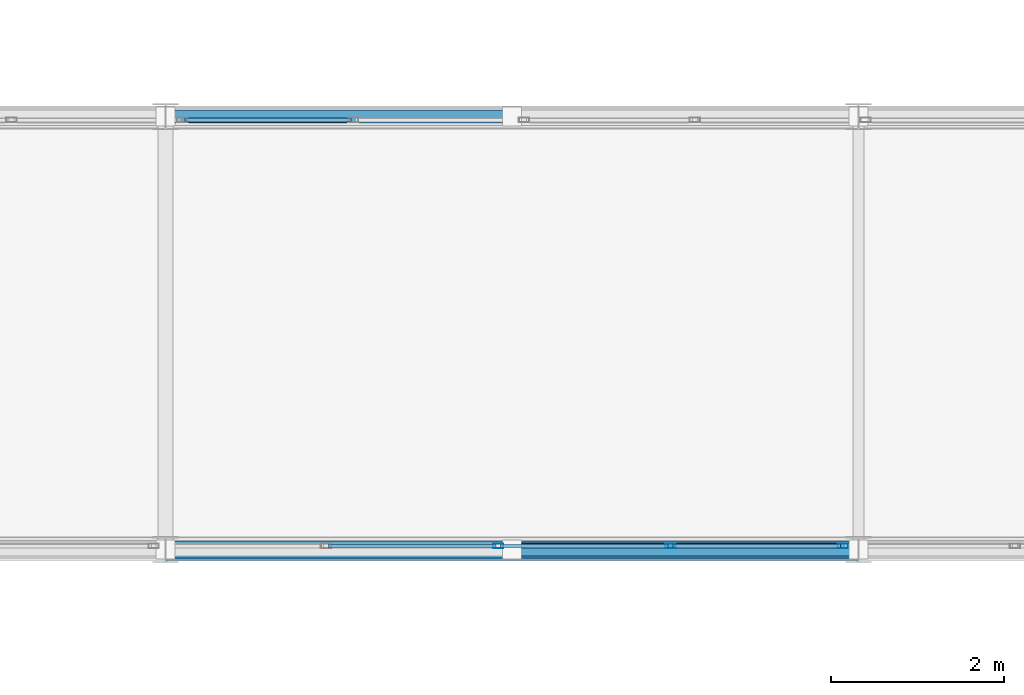
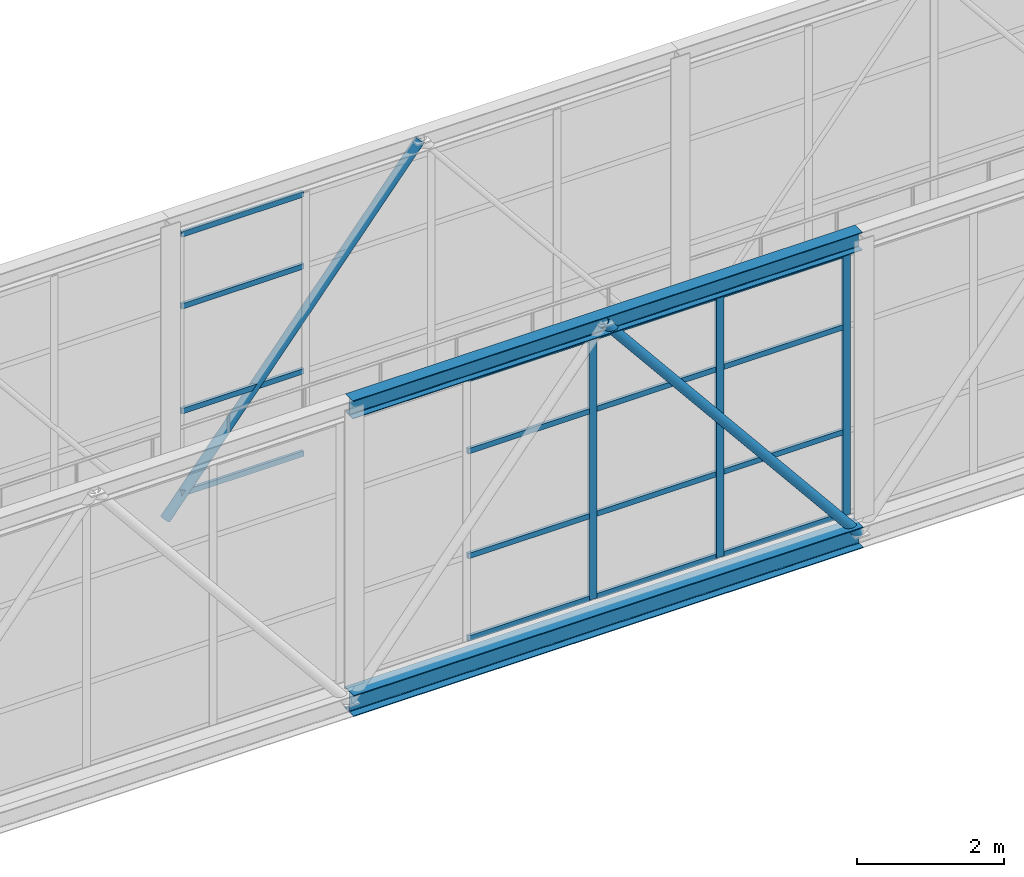
# One storey, part 155 of 248: 23 members, 2 elements without a shape of their own.
"""IFC4 building model written with IfcOpenShell, lengths in metres."""

from ifc_helpers import new_model, si_unit, direction, frame, origin, origin_2d, place, context, subcontext, project, spatial, hollow_rectangle, hollow_circle, i_section, extrude, material, layer, layer_set, material_profile, profile_set, type_object, element, aggregate, save


model = new_model("IFC4")

# Units and contexts
model_context = context("Model", 3, precision=1e-05, world=origin(), true_north=direction((0.0, 1.0)))
body_context = subcontext(model_context, "Body", "Model", "MODEL_VIEW")
ifc_project = project(units=[si_unit("LENGTHUNIT", "METRE"), si_unit("AREAUNIT", "SQUARE_METRE"), si_unit("VOLUMEUNIT", "CUBIC_METRE"), si_unit("PLANEANGLEUNIT", "RADIAN"), si_unit("MASSUNIT", "GRAM", prefix="KILO")], contexts=[model_context])

# Site, building, storey
site_placement = place(None, origin())
site = spatial("IfcSite", under=ifc_project, at=site_placement, CompositionType="ELEMENT")
building_placement = place(site_placement, origin())
building = spatial("IfcBuilding", under=site, at=building_placement, Name="Canggui Botanical Conservatory", CompositionType="ELEMENT")
storey_placement = place(building_placement, frame((0.0, 0.0, 5.39990234375)))
storey = spatial("IfcBuildingStorey", under=building, at=storey_placement, Name="L02", CompositionType="ELEMENT", Elevation=5.39990234375)

# Curtain wall, members
ifc_material_1 = material(Name="Thermally Broken Aluminium", Category="aluminium")
ifc_layer = layer(ifc_material_1, 0.1201171875, Name="Thermally Broken Aluminium", Category="aluminium")
ifc_layer_set = layer_set([ifc_layer], Name="Thermally Broken Aluminium")
curtain_wall_type = type_object("IfcCurtainWallType", Name="CW-STICK-B", PredefinedType="USERDEFINED", material=ifc_layer_set)
curtain_wall_1_placement = place(storey_placement, origin())
curtain_wall_1 = element("IfcCurtainWall", 1, at=curtain_wall_1_placement, inside=storey, type_object=curtain_wall_type, Name="Facade Curtain Wall CW-SB-04-1", ObjectType="STICK GLAZED WALL", PredefinedType="USERDEFINED")
ifc_material_profile_1 = material_profile(ifc_material_1, hollow_rectangle(XDim=0.054931640625, YDim=0.1201171875, WallThickness=0.0029296875, at=origin_2d()), Name="CWM 55x120x3")
ifc_profile_set_1 = profile_set([ifc_material_profile_1], Name="Thermally Broken Aluminium")
member_type_1 = type_object("IfcMemberType", Name="CWM-05", PredefinedType="MULLION", material=ifc_profile_set_1)
member_1_placement = place(storey_placement, frame((93.341552734375, 75.0400390625, 0.0), z_axis=(0.0, 0.0, 1.0), x_axis=(0.0, 1.0, 0.0)))
member_1 = element("IfcMember", 2, at=member_1_placement, type_object=member_type_1, Name="CW-05 mullion 14", PredefinedType="MULLION", context=body_context, shape_type="SweptSolid", body=[
    extrude(hollow_rectangle(XDim=0.054931640625, YDim=0.1201171875, WallThickness=0.0029296875, at=origin_2d()), origin(), (0.0, 0.0, 1.0), 4.35009765625),
])
member_2_placement = place(storey_placement, frame((95.3310546875, 75.0400390625, 0.0), z_axis=(0.0, 0.0, 1.0), x_axis=(0.0, 1.0, 0.0)))
member_2 = element("IfcMember", 3, at=member_2_placement, type_object=member_type_1, Name="CW-05 mullion 15", PredefinedType="MULLION", context=body_context, shape_type="SweptSolid", body=[
    extrude(hollow_rectangle(XDim=0.054931640625, YDim=0.1201171875, WallThickness=0.0029296875, at=origin_2d()), origin(), (0.0, 0.0, 1.0), 4.35009765625),
])
member_3_placement = place(storey_placement, frame((97.3203125, 75.0400390625, 0.0), z_axis=(0.0, 0.0, 1.0), x_axis=(0.0, 1.0, 0.0)))
member_3 = element("IfcMember", 4, at=member_3_placement, type_object=member_type_1, Name="CW-05 mullion 16", PredefinedType="MULLION", context=body_context, shape_type="SweptSolid", body=[
    extrude(hollow_rectangle(XDim=0.054931640625, YDim=0.1201171875, WallThickness=0.0029296875, at=origin_2d()), origin(), (0.0, 0.0, 1.0), 4.35009765625),
])
ifc_material_profile_2 = material_profile(ifc_material_1, hollow_rectangle(XDim=0.044921875, YDim=0.090087890625, WallThickness=0.0029296875, at=origin_2d()), Name="CWT 45x90x3")
ifc_profile_set_2 = profile_set([ifc_material_profile_2], Name="Thermally Broken Aluminium")
member_type_2 = type_object("IfcMemberType", Name="CWT-05", PredefinedType="USERDEFINED", material=ifc_profile_set_2)
member_4_placement = place(storey_placement, frame((91.379638671875, 75.0400390625, 0.022705078125), z_axis=(1.0, 0.0, 0.0), x_axis=(0.0, 1.0, 0.0)))
member_4 = element("IfcMember", 5, at=member_4_placement, type_object=member_type_2, Name="CW-05 transom 13.1", ObjectType="TRANSOM", PredefinedType="USERDEFINED", context=body_context, shape_type="SweptSolid", body=[
    extrude(hollow_rectangle(XDim=0.044921875, YDim=0.090087890625, WallThickness=0.0029296875, at=origin_2d()), origin(), (0.0, 0.0, 1.0), 1.9345703125),
])
member_5_placement = place(storey_placement, frame((91.379638671875, 75.0400390625, 1.39208984375), z_axis=(1.0, 0.0, 0.0), x_axis=(0.0, 1.0, 0.0)))
member_5 = element("IfcMember", 6, at=member_5_placement, type_object=member_type_2, Name="CW-05 transom 13.2", ObjectType="TRANSOM", PredefinedType="USERDEFINED", context=body_context, shape_type="SweptSolid", body=[
    extrude(hollow_rectangle(XDim=0.044921875, YDim=0.090087890625, WallThickness=0.0029296875, at=origin_2d()), origin(), (0.0, 0.0, 1.0), 1.9345703125),
])
member_6_placement = place(storey_placement, frame((91.379638671875, 75.0400390625, 3.132080078125), z_axis=(1.0, 0.0, 0.0), x_axis=(0.0, 1.0, 0.0)))
member_6 = element("IfcMember", 7, at=member_6_placement, type_object=member_type_2, Name="CW-05 transom 13.3", ObjectType="TRANSOM", PredefinedType="USERDEFINED", context=body_context, shape_type="SweptSolid", body=[
    extrude(hollow_rectangle(XDim=0.044921875, YDim=0.090087890625, WallThickness=0.0029296875, at=origin_2d()), origin(), (0.0, 0.0, 1.0), 1.9345703125),
])
member_7_placement = place(storey_placement, frame((91.379638671875, 75.0400390625, 4.32763671875), z_axis=(1.0, 0.0, 0.0), x_axis=(0.0, 1.0, 0.0)))
member_7 = element("IfcMember", 8, at=member_7_placement, type_object=member_type_2, Name="CW-05 transom 13.4", ObjectType="TRANSOM", PredefinedType="USERDEFINED", context=body_context, shape_type="SweptSolid", body=[
    extrude(hollow_rectangle(XDim=0.044921875, YDim=0.090087890625, WallThickness=0.0029296875, at=origin_2d()), origin(), (0.0, 0.0, 1.0), 1.9345703125),
])
member_8_placement = place(storey_placement, frame((93.369140625, 75.0400390625, 0.022705078125), z_axis=(1.0, 0.0, 0.0), x_axis=(0.0, 1.0, 0.0)))
member_8 = element("IfcMember", 9, at=member_8_placement, type_object=member_type_2, Name="CW-05 transom 14.1", ObjectType="TRANSOM", PredefinedType="USERDEFINED", context=body_context, shape_type="SweptSolid", body=[
    extrude(hollow_rectangle(XDim=0.044921875, YDim=0.090087890625, WallThickness=0.0029296875, at=origin_2d()), origin(), (0.0, 0.0, 1.0), 1.934326171875),
])
member_9_placement = place(storey_placement, frame((93.369140625, 75.0400390625, 1.39208984375), z_axis=(1.0, 0.0, 0.0), x_axis=(0.0, 1.0, 0.0)))
member_9 = element("IfcMember", 10, at=member_9_placement, type_object=member_type_2, Name="CW-05 transom 14.2", ObjectType="TRANSOM", PredefinedType="USERDEFINED", context=body_context, shape_type="SweptSolid", body=[
    extrude(hollow_rectangle(XDim=0.044921875, YDim=0.090087890625, WallThickness=0.0029296875, at=origin_2d()), origin(), (0.0, 0.0, 1.0), 1.934326171875),
])
member_10_placement = place(storey_placement, frame((93.369140625, 75.0400390625, 3.132080078125), z_axis=(1.0, 0.0, 0.0), x_axis=(0.0, 1.0, 0.0)))
member_10 = element("IfcMember", 11, at=member_10_placement, type_object=member_type_2, Name="CW-05 transom 14.3", ObjectType="TRANSOM", PredefinedType="USERDEFINED", context=body_context, shape_type="SweptSolid", body=[
    extrude(hollow_rectangle(XDim=0.044921875, YDim=0.090087890625, WallThickness=0.0029296875, at=origin_2d()), origin(), (0.0, 0.0, 1.0), 1.934326171875),
])
member_11_placement = place(storey_placement, frame((93.369140625, 75.0400390625, 4.32763671875), z_axis=(1.0, 0.0, 0.0), x_axis=(0.0, 1.0, 0.0)))
member_11 = element("IfcMember", 12, at=member_11_placement, type_object=member_type_2, Name="CW-05 transom 14.4", ObjectType="TRANSOM", PredefinedType="USERDEFINED", context=body_context, shape_type="SweptSolid", body=[
    extrude(hollow_rectangle(XDim=0.044921875, YDim=0.090087890625, WallThickness=0.0029296875, at=origin_2d()), origin(), (0.0, 0.0, 1.0), 1.934326171875),
])
member_12_placement = place(storey_placement, frame((95.3583984375, 75.0400390625, 0.022705078125), z_axis=(1.0, 0.0, 0.0), x_axis=(0.0, 1.0, 0.0)))
member_12 = element("IfcMember", 13, at=member_12_placement, type_object=member_type_2, Name="CW-05 transom 15.1", ObjectType="TRANSOM", PredefinedType="USERDEFINED", context=body_context, shape_type="SweptSolid", body=[
    extrude(hollow_rectangle(XDim=0.044921875, YDim=0.090087890625, WallThickness=0.0029296875, at=origin_2d()), origin(), (0.0, 0.0, 1.0), 1.934326171875),
])
member_13_placement = place(storey_placement, frame((95.3583984375, 75.0400390625, 1.39208984375), z_axis=(1.0, 0.0, 0.0), x_axis=(0.0, 1.0, 0.0)))
member_13 = element("IfcMember", 14, at=member_13_placement, type_object=member_type_2, Name="CW-05 transom 15.2", ObjectType="TRANSOM", PredefinedType="USERDEFINED", context=body_context, shape_type="SweptSolid", body=[
    extrude(hollow_rectangle(XDim=0.044921875, YDim=0.090087890625, WallThickness=0.0029296875, at=origin_2d()), origin(), (0.0, 0.0, 1.0), 1.934326171875),
])
member_14_placement = place(storey_placement, frame((95.3583984375, 75.0400390625, 3.132080078125), z_axis=(1.0, 0.0, 0.0), x_axis=(0.0, 1.0, 0.0)))
member_14 = element("IfcMember", 15, at=member_14_placement, type_object=member_type_2, Name="CW-05 transom 15.3", ObjectType="TRANSOM", PredefinedType="USERDEFINED", context=body_context, shape_type="SweptSolid", body=[
    extrude(hollow_rectangle(XDim=0.044921875, YDim=0.090087890625, WallThickness=0.0029296875, at=origin_2d()), origin(), (0.0, 0.0, 1.0), 1.934326171875),
])
member_15_placement = place(storey_placement, frame((95.3583984375, 75.0400390625, 4.32763671875), z_axis=(1.0, 0.0, 0.0), x_axis=(0.0, 1.0, 0.0)))
member_15 = element("IfcMember", 16, at=member_15_placement, type_object=member_type_2, Name="CW-05 transom 15.4", ObjectType="TRANSOM", PredefinedType="USERDEFINED", context=body_context, shape_type="SweptSolid", body=[
    extrude(hollow_rectangle(XDim=0.044921875, YDim=0.090087890625, WallThickness=0.0029296875, at=origin_2d()), origin(), (0.0, 0.0, 1.0), 1.934326171875),
])
aggregate(curtain_wall_1, [member_1, member_2, member_3, member_4, member_5, member_6, member_7, member_8, member_9, member_10, member_11, member_12, member_13, member_14, member_15])

curtain_wall_2_placement = place(storey_placement, origin())
curtain_wall_2 = element("IfcCurtainWall", 17, at=curtain_wall_2_placement, inside=storey, type_object=curtain_wall_type, Name="Facade Curtain Wall CW-SB-04-2", ObjectType="STICK GLAZED WALL", PredefinedType="USERDEFINED")
member_16_placement = place(storey_placement, frame((89.72119140625, 79.9599609375, 0.022705078125), z_axis=(1.0, 0.0, 0.0), x_axis=(0.0, 1.0, 0.0)))
member_16 = element("IfcMember", 18, at=member_16_placement, type_object=member_type_2, Name="CW-05 transom 13.1", ObjectType="TRANSOM", PredefinedType="USERDEFINED", context=body_context, shape_type="SweptSolid", body=[
    extrude(hollow_rectangle(XDim=0.044921875, YDim=0.090087890625, WallThickness=0.0029296875, at=origin_2d()), origin(), (0.0, 0.0, 1.0), 1.91796875),
])
member_17_placement = place(storey_placement, frame((89.72119140625, 79.9599609375, 1.39208984375), z_axis=(1.0, 0.0, 0.0), x_axis=(0.0, 1.0, 0.0)))
member_17 = element("IfcMember", 19, at=member_17_placement, type_object=member_type_2, Name="CW-05 transom 13.2", ObjectType="TRANSOM", PredefinedType="USERDEFINED", context=body_context, shape_type="SweptSolid", body=[
    extrude(hollow_rectangle(XDim=0.044921875, YDim=0.090087890625, WallThickness=0.0029296875, at=origin_2d()), origin(), (0.0, 0.0, 1.0), 1.91796875),
])
member_18_placement = place(storey_placement, frame((89.72119140625, 79.9599609375, 3.132080078125), z_axis=(1.0, 0.0, 0.0), x_axis=(0.0, 1.0, 0.0)))
member_18 = element("IfcMember", 20, at=member_18_placement, type_object=member_type_2, Name="CW-05 transom 13.3", ObjectType="TRANSOM", PredefinedType="USERDEFINED", context=body_context, shape_type="SweptSolid", body=[
    extrude(hollow_rectangle(XDim=0.044921875, YDim=0.090087890625, WallThickness=0.0029296875, at=origin_2d()), origin(), (0.0, 0.0, 1.0), 1.91796875),
])
member_19_placement = place(storey_placement, frame((89.72119140625, 79.9599609375, 4.32763671875), z_axis=(1.0, 0.0, 0.0), x_axis=(0.0, 1.0, 0.0)))
member_19 = element("IfcMember", 21, at=member_19_placement, type_object=member_type_2, Name="CW-05 transom 13.4", ObjectType="TRANSOM", PredefinedType="USERDEFINED", context=body_context, shape_type="SweptSolid", body=[
    extrude(hollow_rectangle(XDim=0.044921875, YDim=0.090087890625, WallThickness=0.0029296875, at=origin_2d()), origin(), (0.0, 0.0, 1.0), 1.91796875),
])
aggregate(curtain_wall_2, [member_16, member_17, member_18, member_19])

# Members
ifc_material_2 = material(Name="Steel Q355C", Category="steel")
ifc_material_profile_3 = material_profile(ifc_material_2, hollow_circle(Radius=0.075927734375, WallThickness=0.006103515625, at=origin_2d()), Name="CHS 152x6")
ifc_profile_set_3 = profile_set([ifc_material_profile_3], Name="Steel Q355C")
member_type_3 = type_object("IfcMemberType", Name="MEM-GSD04", PredefinedType="RAFTER", material=ifc_profile_set_3)
for number, where, z_axis, x_axis, name in (
    (22, (93.5, 75.0, 4.550048828125), (0.632384053133, 0.0, -0.774655026024), (0.0, 1.0, 0.0), "SB-04 Truss Web Rafter 1.5B"),
    (23, (89.5, 80.0, -0.349853515625), (0.632384053133, 0.0, 0.774655026024), (0.0, 1.0, 0.0), "SB-04 Truss Web Rafter 2.5A"),
):
    element("IfcMember", number, at=place(storey_placement, frame(where, z_axis=z_axis, x_axis=x_axis)), inside=storey, type_object=member_type_3, Name=name, PredefinedType="RAFTER", context=body_context, shape_type="SweptSolid", body=[
        extrude(hollow_circle(Radius=0.075927734375, WallThickness=0.006103515625, at=origin_2d()), origin(), (0.0, 0.0, 1.0), 6.3251953125),
    ])
ifc_material_3 = material(Name="Steel Q355B", Category="steel")
ifc_material_profile_4 = material_profile(ifc_material_3, i_section(OverallWidth=0.25, OverallDepth=0.35009765625, WebThickness=0.009033203125, FlangeThickness=0.013916015625, FilletRadius=0.02001953125, at=origin_2d()), Name="HM 350x250x9x14")
ifc_profile_set_4 = profile_set([ifc_material_profile_4], Name="Steel Q355B")
member_type_4 = type_object("IfcMemberType", Name="MEM-TC03", PredefinedType="CHORD", material=ifc_profile_set_4)
member_20_placement = place(storey_placement, frame((89.5, 75.0, -0.349853515625), z_axis=(1.0, 0.0, 0.0), x_axis=(0.0, 1.0, 0.0)))
element("IfcMember", 24, at=member_20_placement, inside=storey, type_object=member_type_4, Name="SB-04 Deck Truss Bottom Chord 1.5", PredefinedType="CHORD", context=body_context, shape_type="SweptSolid", body=[
    extrude(i_section(OverallWidth=0.25, OverallDepth=0.35009765625, WebThickness=0.009033203125, FlangeThickness=0.013916015625, FilletRadius=0.02001953125, at=origin_2d()), origin(), (0.0, 0.0, 1.0), 8.0),
])
ifc_material_profile_5 = material_profile(ifc_material_3, i_section(OverallWidth=0.199951171875, OverallDepth=0.300048828125, WebThickness=0.008056640625, FlangeThickness=0.011962890625, FilletRadius=0.01806640625, at=origin_2d()), Name="HM 300x200x8x12")
ifc_profile_set_5 = profile_set([ifc_material_profile_5], Name="Steel Q355B")
member_type_5 = type_object("IfcMemberType", Name="MEM-TC04", PredefinedType="CHORD", material=ifc_profile_set_5)
member_21_placement = place(storey_placement, frame((89.5, 75.0, 4.550048828125), z_axis=(1.0, 0.0, 0.0), x_axis=(0.0, 1.0, 0.0)))
element("IfcMember", 25, at=member_21_placement, inside=storey, type_object=member_type_5, Name="SB-04 Roof Truss Top Chord 1.5", PredefinedType="CHORD", context=body_context, shape_type="SweptSolid", body=[
    extrude(i_section(OverallWidth=0.199951171875, OverallDepth=0.300048828125, WebThickness=0.008056640625, FlangeThickness=0.011962890625, FilletRadius=0.01806640625, at=origin_2d()), origin(), (0.0, 0.0, 1.0), 8.0),
])

save(model, "model.ifc")
